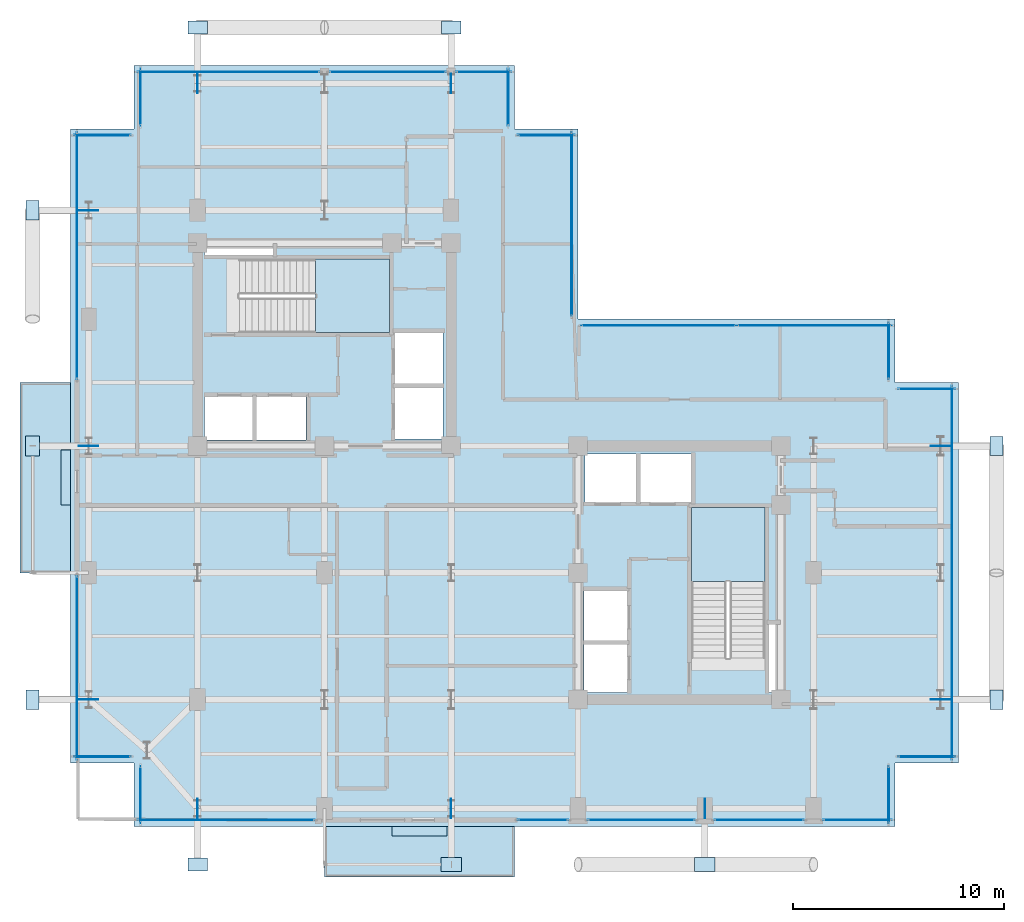
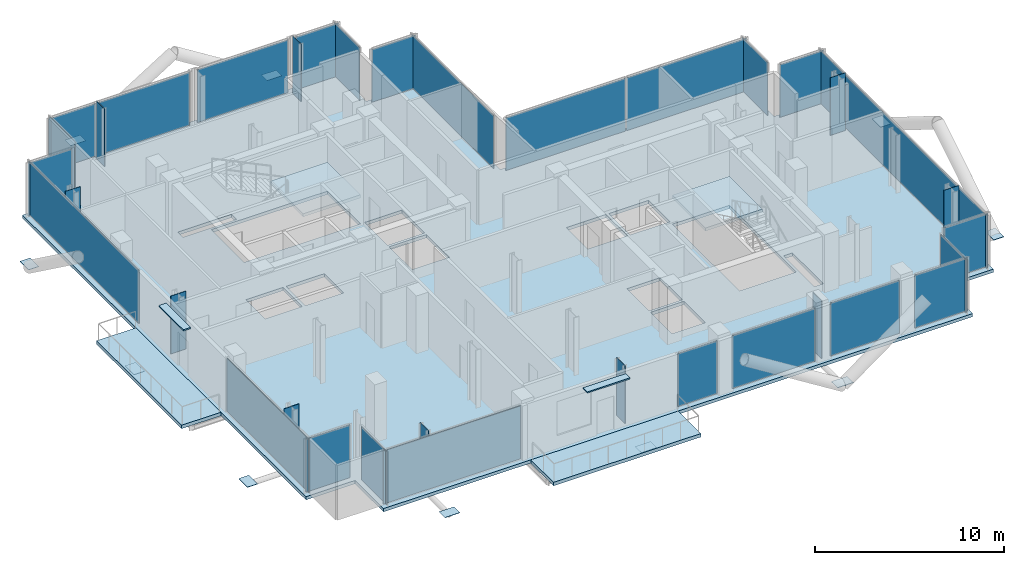
# One storey, part 15 of 21: 46 plates, 5 slabs, 25 elements without a shape of their own.
"""IFC4 building model written with IfcOpenShell, lengths in metres."""

from ifc_helpers import new_model, si_unit, direction, frame, origin, origin_2d, place, context, subcontext, project, spatial, polyline, rectangle, outline, extrude, material, layer, layer_set, type_object, element, aggregate, save


model = new_model("IFC4")

# Units and contexts
model_context = context("Model", 3, precision=1e-05, world=origin(), true_north=direction((0.0, 1.0)))
body_context = subcontext(model_context, "Body", "Model", "MODEL_VIEW")
ifc_project = project(units=[si_unit("LENGTHUNIT", "METRE"), si_unit("AREAUNIT", "SQUARE_METRE"), si_unit("VOLUMEUNIT", "CUBIC_METRE"), si_unit("PLANEANGLEUNIT", "RADIAN"), si_unit("MASSUNIT", "GRAM", prefix="KILO"), si_unit("THERMODYNAMICTEMPERATUREUNIT", "KELVIN"), si_unit("POWERUNIT", "WATT")], contexts=[model_context])

# Site, building, storey
site_placement = place(None, origin())
site = spatial("IfcSite", under=ifc_project, at=site_placement, CompositionType="ELEMENT")
building_placement = place(site_placement, origin())
building = spatial("IfcBuilding", under=site, at=building_placement, Name="Svarakhadi Broadcast Tower", CompositionType="ELEMENT")
storey_placement = place(building_placement, frame((0.0, 0.0, 219.89990234375)))
storey = spatial("IfcBuildingStorey", under=building, at=storey_placement, Name="L54", CompositionType="ELEMENT", Elevation=219.89990234375)

# Curtain wall, plate
ifc_material_1 = material(Name="Anodised Bronze Aluminium AA 6063-T6", Category="aluminium")
ifc_layer_1 = layer(ifc_material_1, 0.18994140625)
ifc_layer_set_1 = layer_set([ifc_layer_1], Name="Anodised Bronze Aluminium AA 6063-T6")
curtain_wall_type = type_object("IfcCurtainWallType", Name="CW_Sys_04", PredefinedType="NOTDEFINED", material=ifc_layer_set_1)
curtain_wall_1_placement = place(storey_placement, origin())
curtain_wall_1 = element("IfcCurtainWall", 1, at=curtain_wall_1_placement, inside=storey, type_object=curtain_wall_type, Name="L54 Unitised Facade Curtain Wall 01", PredefinedType="NOTDEFINED")
ifc_material_2 = material(Name="Double Low-E Laminated Acoustic Glass IGU 36 mm", Category="glass")
ifc_layer_2 = layer(ifc_material_2, 0.033935546875)
ifc_layer_set_2 = layer_set([ifc_layer_2], Name="Double Low-E Laminated Acoustic Glass IGU 36 mm")
plate_type_1 = type_object("IfcPlateType", Name="CW_Sys_04_Pnl", PredefinedType="CURTAIN_PANEL", material=ifc_layer_set_2)
plate_1_placement = place(storey_placement, frame((1.5, 3.300048828125, 0.06494140625), z_axis=(0.0, 0.0, 1.0), x_axis=(-1.0, 0.0, 0.0)))
plate_1 = element("IfcPlate", 2, at=plate_1_placement, type_object=plate_type_1, Name="CW-04 panel 1.1", PredefinedType="CURTAIN_PANEL", context=body_context, shape_type="SweptSolid", body=[
    extrude(rectangle(XDim=2.679931640625, YDim=0.033935546875, at=origin_2d()), origin(), (0.0, 0.0, 1.0), 3.409912109375),
])
aggregate(curtain_wall_1, [plate_1])

curtain_wall_2_placement = place(storey_placement, origin())
curtain_wall_2 = element("IfcCurtainWall", 3, at=curtain_wall_2_placement, inside=storey, type_object=curtain_wall_type, Name="L54 West Curtain Wall 02", PredefinedType="NOTDEFINED")
plate_2_placement = place(storey_placement, frame((0.300048828125, 7.5, 0.06494140625), z_axis=(0.0, 0.0, 1.0), x_axis=(0.0, 1.0, 0.0)))
plate_2 = element("IfcPlate", 4, at=plate_2_placement, type_object=plate_type_1, Name="CW-04 panel 1.1", PredefinedType="CURTAIN_PANEL", context=body_context, shape_type="SweptSolid", body=[
    extrude(rectangle(XDim=8.679931640625, YDim=0.033935546875, at=origin_2d()), origin(), (0.0, 0.0, 1.0), 3.409912109375),
])
aggregate(curtain_wall_2, [plate_2])

curtain_wall_3_placement = place(storey_placement, origin())
curtain_wall_3 = element("IfcCurtainWall", 5, at=curtain_wall_3_placement, inside=storey, type_object=curtain_wall_type, Name="L54 West Curtain Wall 03", PredefinedType="NOTDEFINED")
plate_3_placement = place(storey_placement, frame((0.300048828125, 27.0, 0.06494140625), z_axis=(0.0, 0.0, 1.0), x_axis=(0.0, 1.0, 0.0)))
plate_3 = element("IfcPlate", 6, at=plate_3_placement, type_object=plate_type_1, Name="CW-04 panel 1.1", PredefinedType="CURTAIN_PANEL", context=body_context, shape_type="SweptSolid", body=[
    extrude(rectangle(XDim=11.679931640625, YDim=0.033935546875, at=origin_2d()), origin(), (0.0, 0.0, 1.0), 3.409912109375),
])
aggregate(curtain_wall_3, [plate_3])

curtain_wall_4_placement = place(storey_placement, origin())
curtain_wall_4 = element("IfcCurtainWall", 7, at=curtain_wall_4_placement, inside=storey, type_object=curtain_wall_type, Name="L54 Unitised Facade Curtain Wall 04", PredefinedType="NOTDEFINED")
plate_4_placement = place(storey_placement, frame((1.5, 32.699951171875, 0.06494140625), z_axis=(0.0, 0.0, 1.0), x_axis=(1.0, 0.0, 0.0)))
plate_4 = element("IfcPlate", 8, at=plate_4_placement, type_object=plate_type_1, Name="CW-04 panel 1.1", PredefinedType="CURTAIN_PANEL", context=body_context, shape_type="SweptSolid", body=[
    extrude(rectangle(XDim=2.679931640625, YDim=0.033935546875, at=origin_2d()), origin(), (0.0, 0.0, 1.0), 3.409912109375),
])
aggregate(curtain_wall_4, [plate_4])

curtain_wall_5_placement = place(storey_placement, origin())
curtain_wall_5 = element("IfcCurtainWall", 9, at=curtain_wall_5_placement, inside=storey, type_object=curtain_wall_type, Name="L54 Unitised Facade Curtain Wall 05", PredefinedType="NOTDEFINED")
plate_5_placement = place(storey_placement, frame((3.300048828125, 34.5, 0.06494140625), z_axis=(0.0, 0.0, 1.0), x_axis=(0.0, 1.0, 0.0)))
plate_5 = element("IfcPlate", 10, at=plate_5_placement, type_object=plate_type_1, Name="CW-04 panel 1.1", PredefinedType="CURTAIN_PANEL", context=body_context, shape_type="SweptSolid", body=[
    extrude(rectangle(XDim=2.679931640625, YDim=0.033935546875, at=origin_2d()), origin(), (0.0, 0.0, 1.0), 3.409912109375),
])
aggregate(curtain_wall_5, [plate_5])

curtain_wall_6_placement = place(storey_placement, origin())
curtain_wall_6 = element("IfcCurtainWall", 11, at=curtain_wall_6_placement, inside=storey, type_object=curtain_wall_type, Name="L54 Unitised Facade Curtain Wall 06 Bay 1", PredefinedType="NOTDEFINED")
plate_6_placement = place(storey_placement, frame((7.4599609375, 35.699951171875, 0.06494140625), z_axis=(0.0, 0.0, 1.0), x_axis=(1.0, 0.0, 0.0)))
plate_6 = element("IfcPlate", 12, at=plate_6_placement, type_object=plate_type_1, Name="CW-04 panel 1.1", PredefinedType="CURTAIN_PANEL", context=body_context, shape_type="SweptSolid", body=[
    extrude(rectangle(XDim=8.60009765625, YDim=0.033935546875, at=origin_2d()), origin(), (0.0, 0.0, 1.0), 3.409912109375),
])
aggregate(curtain_wall_6, [plate_6])

curtain_wall_7_placement = place(storey_placement, origin())
curtain_wall_7 = element("IfcCurtainWall", 13, at=curtain_wall_7_placement, inside=storey, type_object=curtain_wall_type, Name="L54 Unitised Facade Curtain Wall 06 Bay 2", PredefinedType="NOTDEFINED")
plate_7_placement = place(storey_placement, frame((15.0, 35.699951171875, 0.06494140625), z_axis=(0.0, 0.0, 1.0), x_axis=(1.0, 0.0, 0.0)))
plate_7 = element("IfcPlate", 14, at=plate_7_placement, type_object=plate_type_1, Name="CW-04 panel 1.1", PredefinedType="CURTAIN_PANEL", context=body_context, shape_type="SweptSolid", body=[
    extrude(rectangle(XDim=5.52001953125, YDim=0.033935546875, at=origin_2d()), origin(), (0.0, 0.0, 1.0), 3.409912109375),
])
aggregate(curtain_wall_7, [plate_7])

curtain_wall_8_placement = place(storey_placement, origin())
curtain_wall_8 = element("IfcCurtainWall", 15, at=curtain_wall_8_placement, inside=storey, type_object=curtain_wall_type, Name="L54 Unitised Facade Curtain Wall 06 Bay 3", PredefinedType="NOTDEFINED")
plate_8_placement = place(storey_placement, frame((19.5400390625, 35.699951171875, 0.06494140625), z_axis=(0.0, 0.0, 1.0), x_axis=(1.0, 0.0, 0.0)))
plate_8 = element("IfcPlate", 16, at=plate_8_placement, type_object=plate_type_1, Name="CW-04 panel 1.1", PredefinedType="CURTAIN_PANEL", context=body_context, shape_type="SweptSolid", body=[
    extrude(rectangle(XDim=2.60009765625, YDim=0.033935546875, at=origin_2d()), origin(), (0.0, 0.0, 1.0), 3.409912109375),
])
aggregate(curtain_wall_8, [plate_8])

curtain_wall_9_placement = place(storey_placement, origin())
curtain_wall_9 = element("IfcCurtainWall", 17, at=curtain_wall_9_placement, inside=storey, type_object=curtain_wall_type, Name="L54 Unitised Facade Curtain Wall 07", PredefinedType="NOTDEFINED")
plate_9_placement = place(storey_placement, frame((20.699951171875, 34.5, 0.06494140625), z_axis=(0.0, 0.0, 1.0), x_axis=(0.0, -1.0, 0.0)))
plate_9 = element("IfcPlate", 18, at=plate_9_placement, type_object=plate_type_1, Name="CW-04 panel 1.1", PredefinedType="CURTAIN_PANEL", context=body_context, shape_type="SweptSolid", body=[
    extrude(rectangle(XDim=2.679931640625, YDim=0.033935546875, at=origin_2d()), origin(), (0.0, 0.0, 1.0), 3.409912109375),
])
aggregate(curtain_wall_9, [plate_9])

curtain_wall_10_placement = place(storey_placement, origin())
curtain_wall_10 = element("IfcCurtainWall", 19, at=curtain_wall_10_placement, inside=storey, type_object=curtain_wall_type, Name="L54 Unitised Facade Curtain Wall 08", PredefinedType="NOTDEFINED")
plate_10_placement = place(storey_placement, frame((22.5, 32.699951171875, 0.06494140625), z_axis=(0.0, 0.0, 1.0), x_axis=(1.0, 0.0, 0.0)))
plate_10 = element("IfcPlate", 20, at=plate_10_placement, type_object=plate_type_1, Name="CW-04 panel 1.1", PredefinedType="CURTAIN_PANEL", context=body_context, shape_type="SweptSolid", body=[
    extrude(rectangle(XDim=2.679931640625, YDim=0.033935546875, at=origin_2d()), origin(), (0.0, 0.0, 1.0), 3.409912109375),
])
aggregate(curtain_wall_10, [plate_10])

curtain_wall_11_placement = place(storey_placement, origin())
curtain_wall_11 = element("IfcCurtainWall", 21, at=curtain_wall_11_placement, inside=storey, type_object=curtain_wall_type, Name="L54 Unitised Facade Curtain Wall 09", PredefinedType="NOTDEFINED")
plate_11_placement = place(storey_placement, frame((23.699951171875, 28.5, 0.06494140625), z_axis=(0.0, 0.0, 1.0), x_axis=(0.0, -1.0, 0.0)))
plate_11 = element("IfcPlate", 22, at=plate_11_placement, type_object=plate_type_1, Name="CW-04 panel 1.1", PredefinedType="CURTAIN_PANEL", context=body_context, shape_type="SweptSolid", body=[
    extrude(rectangle(XDim=8.679931640625, YDim=0.033935546875, at=origin_2d()), origin(), (0.0, 0.0, 1.0), 3.409912109375),
])
aggregate(curtain_wall_11, [plate_11])

# Curtain wall, plates
curtain_wall_12_placement = place(storey_placement, origin())
curtain_wall_12 = element("IfcCurtainWall", 23, at=curtain_wall_12_placement, inside=storey, type_object=curtain_wall_type, Name="L54 Unitised Facade Curtain Wall 10", PredefinedType="NOTDEFINED")
plate_12_placement = place(storey_placement, frame((27.8125, 23.699951171875, 0.06494140625), z_axis=(0.0, 0.0, 1.0), x_axis=(1.0, 0.0, 0.0)))
plate_12 = element("IfcPlate", 24, at=plate_12_placement, type_object=plate_type_1, Name="CW-04 panel 1.1", PredefinedType="CURTAIN_PANEL", context=body_context, shape_type="SweptSolid", body=[
    extrude(rectangle(XDim=7.304931640625, YDim=0.033935546875, at=origin_2d()), origin(), (0.0, 0.0, 1.0), 3.409912109375),
])
plate_13_placement = place(storey_placement, frame((35.1875, 23.699951171875, 0.06494140625), z_axis=(0.0, 0.0, 1.0), x_axis=(1.0, 0.0, 0.0)))
plate_13 = element("IfcPlate", 25, at=plate_13_placement, type_object=plate_type_1, Name="CW-04 panel 2.1", PredefinedType="CURTAIN_PANEL", context=body_context, shape_type="SweptSolid", body=[
    extrude(rectangle(XDim=7.304931640625, YDim=0.033935546875, at=origin_2d()), origin(), (0.0, 0.0, 1.0), 3.409912109375),
])
aggregate(curtain_wall_12, [plate_12, plate_13])

# Curtain wall, plate
curtain_wall_13_placement = place(storey_placement, origin())
curtain_wall_13 = element("IfcCurtainWall", 26, at=curtain_wall_13_placement, inside=storey, type_object=curtain_wall_type, Name="L54 Unitised Facade Curtain Wall 11", PredefinedType="NOTDEFINED")
plate_14_placement = place(storey_placement, frame((38.699951171875, 22.5, 0.06494140625), z_axis=(0.0, 0.0, 1.0), x_axis=(0.0, -1.0, 0.0)))
plate_14 = element("IfcPlate", 27, at=plate_14_placement, type_object=plate_type_1, Name="CW-04 panel 1.1", PredefinedType="CURTAIN_PANEL", context=body_context, shape_type="SweptSolid", body=[
    extrude(rectangle(XDim=2.679931640625, YDim=0.033935546875, at=origin_2d()), origin(), (0.0, 0.0, 1.0), 3.409912109375),
])
aggregate(curtain_wall_13, [plate_14])

curtain_wall_14_placement = place(storey_placement, origin())
curtain_wall_14 = element("IfcCurtainWall", 28, at=curtain_wall_14_placement, inside=storey, type_object=curtain_wall_type, Name="L54 Unitised Facade Curtain Wall 12", PredefinedType="NOTDEFINED")
plate_15_placement = place(storey_placement, frame((40.5, 20.699951171875, 0.06494140625), z_axis=(0.0, 0.0, 1.0), x_axis=(1.0, 0.0, 0.0)))
plate_15 = element("IfcPlate", 29, at=plate_15_placement, type_object=plate_type_1, Name="CW-04 panel 1.1", PredefinedType="CURTAIN_PANEL", context=body_context, shape_type="SweptSolid", body=[
    extrude(rectangle(XDim=2.679931640625, YDim=0.033935546875, at=origin_2d()), origin(), (0.0, 0.0, 1.0), 3.409912109375),
])
aggregate(curtain_wall_14, [plate_15])

curtain_wall_15_placement = place(storey_placement, origin())
curtain_wall_15 = element("IfcCurtainWall", 30, at=curtain_wall_15_placement, inside=storey, type_object=curtain_wall_type, Name="L54 Unitised Facade Curtain Wall 13", PredefinedType="NOTDEFINED")
plate_16_placement = place(storey_placement, frame((41.699951171875, 12.0, 0.06494140625), z_axis=(0.0, 0.0, 1.0), x_axis=(0.0, -1.0, 0.0)))
plate_16 = element("IfcPlate", 31, at=plate_16_placement, type_object=plate_type_1, Name="CW-04 panel 1.1", PredefinedType="CURTAIN_PANEL", context=body_context, shape_type="SweptSolid", body=[
    extrude(rectangle(XDim=17.679931640625, YDim=0.033935546875, at=origin_2d()), origin(), (0.0, 0.0, 1.0), 3.409912109375),
])
aggregate(curtain_wall_15, [plate_16])

curtain_wall_16_placement = place(storey_placement, origin())
curtain_wall_16 = element("IfcCurtainWall", 32, at=curtain_wall_16_placement, inside=storey, type_object=curtain_wall_type, Name="L54 Unitised Facade Curtain Wall 14", PredefinedType="NOTDEFINED")
plate_17_placement = place(storey_placement, frame((40.5, 3.300048828125, 0.06494140625), z_axis=(0.0, 0.0, 1.0), x_axis=(-1.0, 0.0, 0.0)))
plate_17 = element("IfcPlate", 33, at=plate_17_placement, type_object=plate_type_1, Name="CW-04 panel 1.1", PredefinedType="CURTAIN_PANEL", context=body_context, shape_type="SweptSolid", body=[
    extrude(rectangle(XDim=2.679931640625, YDim=0.033935546875, at=origin_2d()), origin(), (0.0, 0.0, 1.0), 3.409912109375),
])
aggregate(curtain_wall_16, [plate_17])

curtain_wall_17_placement = place(storey_placement, origin())
curtain_wall_17 = element("IfcCurtainWall", 34, at=curtain_wall_17_placement, inside=storey, type_object=curtain_wall_type, Name="L54 Unitised Facade Curtain Wall 15", PredefinedType="NOTDEFINED")
plate_18_placement = place(storey_placement, frame((38.699951171875, 1.5, 0.06494140625), z_axis=(0.0, 0.0, 1.0), x_axis=(0.0, -1.0, 0.0)))
plate_18 = element("IfcPlate", 35, at=plate_18_placement, type_object=plate_type_1, Name="CW-04 panel 1.1", PredefinedType="CURTAIN_PANEL", context=body_context, shape_type="SweptSolid", body=[
    extrude(rectangle(XDim=2.679931640625, YDim=0.033935546875, at=origin_2d()), origin(), (0.0, 0.0, 1.0), 3.409912109375),
])
aggregate(curtain_wall_17, [plate_18])

curtain_wall_18_placement = place(storey_placement, origin())
curtain_wall_18 = element("IfcCurtainWall", 36, at=curtain_wall_18_placement, inside=storey, type_object=curtain_wall_type, Name="L54 South Curtain Wall 16 Bay 1", PredefinedType="NOTDEFINED")
plate_19_placement = place(storey_placement, frame((37.2275390625, 0.300048828125, 0.06494140625), z_axis=(0.0, 0.0, 1.0), x_axis=(-1.0, 0.0, 0.0)))
plate_19 = element("IfcPlate", 37, at=plate_19_placement, type_object=plate_type_1, Name="CW-04 panel 1.1", PredefinedType="CURTAIN_PANEL", context=body_context, shape_type="SweptSolid", body=[
    extrude(rectangle(XDim=3.22509765625, YDim=0.033935546875, at=origin_2d()), origin(), (0.0, 0.0, 1.0), 3.409912109375),
])
aggregate(curtain_wall_18, [plate_19])

curtain_wall_19_placement = place(storey_placement, origin())
curtain_wall_19 = element("IfcCurtainWall", 38, at=curtain_wall_19_placement, inside=storey, type_object=curtain_wall_type, Name="L54 South Curtain Wall 16 Bay 2", PredefinedType="NOTDEFINED")
plate_20_placement = place(storey_placement, frame((32.574951171875, 0.300048828125, 0.06494140625), z_axis=(0.0, 0.0, 1.0), x_axis=(-1.0, 0.0, 0.0)))
plate_20 = element("IfcPlate", 39, at=plate_20_placement, type_object=plate_type_1, Name="CW-04 panel 1.1", PredefinedType="CURTAIN_PANEL", context=body_context, shape_type="SweptSolid", body=[
    extrude(rectangle(XDim=4.219970703125, YDim=0.033935546875, at=origin_2d()), origin(), (0.0, 0.0, 1.0), 3.409912109375),
])
aggregate(curtain_wall_19, [plate_20])

curtain_wall_20_placement = place(storey_placement, origin())
curtain_wall_20 = element("IfcCurtainWall", 40, at=curtain_wall_20_placement, inside=storey, type_object=curtain_wall_type, Name="L54 South Curtain Wall 16 Bay 3", PredefinedType="NOTDEFINED")
plate_21_placement = place(storey_placement, frame((27.0, 0.300048828125, 0.06494140625), z_axis=(0.0, 0.0, 1.0), x_axis=(-1.0, 0.0, 0.0)))
plate_21 = element("IfcPlate", 41, at=plate_21_placement, type_object=plate_type_1, Name="CW-04 panel 1.1", PredefinedType="CURTAIN_PANEL", context=body_context, shape_type="SweptSolid", body=[
    extrude(rectangle(XDim=5.070068359375, YDim=0.033935546875, at=origin_2d()), origin(), (0.0, 0.0, 1.0), 3.409912109375),
])
aggregate(curtain_wall_20, [plate_21])

curtain_wall_21_placement = place(storey_placement, origin())
curtain_wall_21 = element("IfcCurtainWall", 42, at=curtain_wall_21_placement, inside=storey, type_object=curtain_wall_type, Name="L54 South Curtain Wall 16 Bay 4", PredefinedType="NOTDEFINED")
plate_22_placement = place(storey_placement, frame((22.347412109375, 0.300048828125, 0.06494140625), z_axis=(0.0, 0.0, 1.0), x_axis=(-1.0, 0.0, 0.0)))
plate_22 = element("IfcPlate", 43, at=plate_22_placement, type_object=plate_type_1, Name="CW-04 panel 1.1", PredefinedType="CURTAIN_PANEL", context=body_context, shape_type="SweptSolid", body=[
    extrude(rectangle(XDim=2.375, YDim=0.033935546875, at=origin_2d()), origin(), (0.0, 0.0, 1.0), 3.409912109375),
])
aggregate(curtain_wall_21, [plate_22])

curtain_wall_22_placement = place(storey_placement, origin())
curtain_wall_22 = element("IfcCurtainWall", 44, at=curtain_wall_22_placement, inside=storey, type_object=curtain_wall_type, Name="L54 South Curtain Wall 17", PredefinedType="NOTDEFINED")
plate_23_placement = place(storey_placement, frame((7.347412109375, 0.300048828125, 0.06494140625), z_axis=(0.0, 0.0, 1.0), x_axis=(-1.0, 0.0, 0.0)))
plate_23 = element("IfcPlate", 45, at=plate_23_placement, type_object=plate_type_1, Name="CW-04 panel 1.1", PredefinedType="CURTAIN_PANEL", context=body_context, shape_type="SweptSolid", body=[
    extrude(rectangle(XDim=8.375, YDim=0.033935546875, at=origin_2d()), origin(), (0.0, 0.0, 1.0), 3.409912109375),
])
aggregate(curtain_wall_22, [plate_23])

curtain_wall_23_placement = place(storey_placement, origin())
curtain_wall_23 = element("IfcCurtainWall", 46, at=curtain_wall_23_placement, inside=storey, type_object=curtain_wall_type, Name="L54 Unitised Facade Curtain Wall 18", PredefinedType="NOTDEFINED")
plate_24_placement = place(storey_placement, frame((3.300048828125, 1.5, 0.06494140625), z_axis=(0.0, 0.0, 1.0), x_axis=(0.0, 1.0, 0.0)))
plate_24 = element("IfcPlate", 47, at=plate_24_placement, type_object=plate_type_1, Name="CW-04 panel 1.1", PredefinedType="CURTAIN_PANEL", context=body_context, shape_type="SweptSolid", body=[
    extrude(rectangle(XDim=2.679931640625, YDim=0.033935546875, at=origin_2d()), origin(), (0.0, 0.0, 1.0), 3.409912109375),
])
aggregate(curtain_wall_23, [plate_24])

# Plates
ifc_material_3 = material(Name="Steel S460ML (IS 2062 E450BR)", Category="steel")
ifc_layer_3 = layer(ifc_material_3, 0.028076171875)
ifc_layer_set_3 = layer_set([ifc_layer_3], Name="Steel S460ML (IS 2062 E450BR)")
plate_type_2 = type_object("IfcPlateType", Name="Node_Gusset_N03", PredefinedType="SHEET", material=ifc_layer_set_3)
for number, where, z_axis, x_axis, name in (
    (48, (18.0, -1.800048828125, -0.2099609375), (0.0, 0.0, 1.0), (1.0, 0.0, 0.0), "L54 Exoskeleton Gusset Node Plate S02"),
    (49, (30.0, -1.800048828125, -0.2099609375), (0.0, 0.0, 1.0), (1.0, 0.0, 0.0), "L54 Exoskeleton Gusset Node Plate S03"),
    (50, (-1.800048828125, 18.0, -0.2099609375), (0.0, 0.0, 1.0), (0.0, 1.0, 0.0), "L54 Exoskeleton Gusset Node Plate W05"),
):
    element("IfcPlate", number, at=place(storey_placement, frame(where, z_axis=z_axis, x_axis=x_axis)), inside=storey, type_object=plate_type_2, Name=name, PredefinedType="SHEET", context=body_context, shape_type="SweptSolid", body=[
        extrude(rectangle(XDim=0.9599609375, YDim=0.659912109375, at=origin_2d()), origin(), (0.0, 0.0, 1.0), 0.028076171875),
    ])
ifc_layer_4 = layer(ifc_material_3, 0.02587890625)
ifc_layer_set_4 = layer_set([ifc_layer_4], Name="Steel S460ML (IS 2062 E450BR)")
plate_type_3 = type_object("IfcPlateType", Name="Node_Gusset_N07", PredefinedType="SHEET", material=ifc_layer_set_4)
for number, where, z_axis, x_axis, name in (
    (51, (6.0, -1.800048828125, -0.2099609375), (0.0, 0.0, 1.0), (1.0, 0.0, 0.0), "L54 Exoskeleton Gusset Node Plate S01"),
    (52, (-1.800048828125, 6.0, -0.2099609375), (0.0, 0.0, 1.0), (0.0, 1.0, 0.0), "L54 Exoskeleton Gusset Node Plate W04"),
    (53, (-1.800048828125, 29.14990234375, -0.2099609375), (0.0, 0.0, 1.0), (0.0, 1.0, 0.0), "L54 Exoskeleton Gusset Node Plate W06"),
    (54, (43.800048828125, 6.0, -0.2099609375), (0.0, 0.0, 1.0), (0.0, 1.0, 0.0), "L54 Exoskeleton Gusset Node Plate E07"),
    (55, (43.800048828125, 18.0, -0.2099609375), (0.0, 0.0, 1.0), (0.0, 1.0, 0.0), "L54 Exoskeleton Gusset Node Plate E08"),
    (56, (6.0, 37.800048828125, -0.2099609375), (0.0, 0.0, 1.0), (1.0, 0.0, 0.0), "L54 Exoskeleton Gusset Node Plate N09"),
    (57, (18.0, 37.800048828125, -0.2099609375), (0.0, 0.0, 1.0), (1.0, 0.0, 0.0), "L54 Exoskeleton Gusset Node Plate N10"),
):
    element("IfcPlate", number, at=place(storey_placement, frame(where, z_axis=z_axis, x_axis=x_axis)), inside=storey, type_object=plate_type_3, Name=name, PredefinedType="SHEET", context=body_context, shape_type="SweptSolid", body=[
        extrude(rectangle(XDim=0.919921875, YDim=0.6201171875, at=origin_2d()), origin(), (0.0, 0.0, 1.0), 0.02587890625),
    ])
for number, where, z_axis, x_axis, name in (
    (58, (6.0, 0.85009765625, -0.57177734375), (0.0, 0.0, 1.0), (0.0, 1.0, 0.0), "L54 Brace End Connection Gusset Plate N-07-E0439"),
    (59, (18.0, 0.85009765625, -0.57177734375), (0.0, 0.0, 1.0), (0.0, 1.0, 0.0), "L54 Brace End Connection Gusset Plate N-07-E0440"),
    (60, (30.0, 0.85009765625, -0.57177734375), (0.0, 0.0, 1.0), (0.0, 1.0, 0.0), "L54 Brace End Connection Gusset Plate N-07-E0441"),
    (61, (0.85009765625, 6.0, -0.57177734375), (0.0, 0.0, 1.0), (1.0, 0.0, 0.0), "L54 Brace End Connection Gusset Plate N-07-E0442"),
    (62, (0.85009765625, 18.0, -0.57177734375), (0.0, 0.0, 1.0), (1.0, 0.0, 0.0), "L54 Brace End Connection Gusset Plate N-07-E0443"),
    (63, (0.85009765625, 29.14990234375, -0.57177734375), (0.0, 0.0, 1.0), (1.0, 0.0, 0.0), "L54 Brace End Connection Gusset Plate N-07-E0444"),
    (64, (41.14990234375, 6.0, -0.57177734375), (0.0, 0.0, 1.0), (1.0, 0.0, 0.0), "L54 Brace End Connection Gusset Plate N-07-E0445"),
    (65, (41.14990234375, 18.0, -0.57177734375), (0.0, 0.0, 1.0), (1.0, 0.0, 0.0), "L54 Brace End Connection Gusset Plate N-07-E0446"),
    (66, (6.0, 35.14990234375, -0.57177734375), (0.0, 0.0, 1.0), (0.0, 1.0, 0.0), "L54 Brace End Connection Gusset Plate N-07-E0447"),
    (67, (18.0, 35.14990234375, -0.57177734375), (0.0, 0.0, 1.0), (0.0, 1.0, 0.0), "L54 Brace End Connection Gusset Plate N-07-E0448"),
):
    element("IfcPlate", number, at=place(storey_placement, frame(where, z_axis=z_axis, x_axis=x_axis)), inside=storey, type_object=plate_type_3, Name=name, PredefinedType="SHEET", context=body_context, shape_type="SweptSolid", body=[
        extrude(rectangle(XDim=0.919921875, YDim=0.02587890625, at=origin_2d()), origin(), (0.0, 0.0, 1.0), 4.300048828125),
    ])

# Slab
ifc_material_4 = material(Name="Concrete C40/50 (IS 456 M50)", Category="concrete")
ifc_layer_5 = layer(ifc_material_4, 0.2099609375)
ifc_layer_set_5 = layer_set([ifc_layer_5], Name="Concrete C40/50 (IS 456 M50)")
slab_type_1 = type_object("IfcSlabType", Name="Slab_Floor_210", PredefinedType="FLOOR", material=ifc_layer_set_5)
slab_1_placement = place(storey_placement, frame((0.0, 0.0, -0.2099609375)))
element("IfcSlab", 68, at=slab_1_placement, inside=storey, type_object=slab_type_1, Name="L54 Structural Floor Slab", PredefinedType="FLOOR", context=body_context, shape_type="SweptSolid", body=[
    extrude(outline(polyline([(3.0, 0.0), (39.0, 0.0), (39.0, 3.0), (42.0, 3.0), (42.0, 21.0), (39.0, 21.0), (39.0, 24.0), (24.0, 24.0), (24.0, 33.0), (21.0, 33.0), (21.0, 36.0), (3.0, 36.0), (3.0, 33.0), (0.0, 33.0), (0.0, 3.0), (3.0, 3.0), (3.0, 0.0)]), holes=[polyline([(7.97998046875, 23.360107421875), (15.080078125, 23.360107421875), (15.080078125, 26.840087890625), (7.97998046875, 26.840087890625), (7.97998046875, 23.360107421875)]), polyline([(32.840087890625, 7.97998046875), (32.840087890625, 15.080078125), (29.360107421875, 15.080078125), (29.360107421875, 7.97998046875), (32.840087890625, 7.97998046875)]), polyline([(6.340087890625, 18.2900390625), (8.610107421875, 18.2900390625), (8.610107421875, 20.330078125), (6.340087890625, 20.330078125), (6.340087890625, 18.2900390625)]), polyline([(8.7900390625, 18.2900390625), (11.1298828125, 18.2900390625), (11.1298828125, 20.330078125), (8.7900390625, 20.330078125), (8.7900390625, 18.2900390625)]), polyline([(24.2900390625, 6.340087890625), (26.330078125, 6.340087890625), (26.330078125, 8.610107421875), (24.2900390625, 8.610107421875), (24.2900390625, 6.340087890625)]), polyline([(24.2900390625, 8.7900390625), (26.330078125, 8.7900390625), (26.330078125, 11.1298828125), (24.2900390625, 11.1298828125), (24.2900390625, 8.7900390625)]), polyline([(6.340087890625, 26.989990234375), (9.610107421875, 26.989990234375), (9.610107421875, 27.530029296875), (6.340087890625, 27.530029296875), (6.340087890625, 26.989990234375)]), polyline([(32.989990234375, 6.340087890625), (33.530029296875, 6.340087890625), (33.530029296875, 9.610107421875), (32.989990234375, 9.610107421875), (32.989990234375, 6.340087890625)]), polyline([(15.340087890625, 18.340087890625), (17.610107421875, 18.340087890625), (17.610107421875, 20.760009765625), (15.340087890625, 20.760009765625), (15.340087890625, 18.340087890625)]), polyline([(15.340087890625, 20.93994140625), (17.610107421875, 20.93994140625), (17.610107421875, 23.360107421875), (15.340087890625, 23.360107421875), (15.340087890625, 20.93994140625)]), polyline([(24.340087890625, 15.340087890625), (26.760009765625, 15.340087890625), (26.760009765625, 17.610107421875), (24.340087890625, 17.610107421875), (24.340087890625, 15.340087890625)]), polyline([(26.93994140625, 15.340087890625), (29.360107421875, 15.340087890625), (29.360107421875, 17.610107421875), (26.93994140625, 17.610107421875), (26.93994140625, 15.340087890625)])]), origin(), (0.0, 0.0, 1.0), 0.2099609375),
])

# Stair, slab
stair_type = type_object("IfcStairType", Name="Stair_Exit_Core", PredefinedType="HALF_TURN_STAIR", material=ifc_material_4)
stair_1_placement = place(storey_placement, origin())
stair_1 = element("IfcStair", 69, at=stair_1_placement, inside=storey, type_object=stair_type, Name="L54 West Core Protected Exit Stair ST-01", PredefinedType="HALF_TURN_STAIR")
ifc_layer_6 = layer(ifc_material_4, 0.199951171875)
ifc_layer_set_6 = layer_set([ifc_layer_6], Name="Concrete C40/50 (IS 456 M50)")
slab_type_2 = type_object("IfcSlabType", Name="Slab_Stair_Land", PredefinedType="LANDING", material=ifc_layer_set_6)
slab_2_placement = place(storey_placement, frame((0.0, 0.0, 1.675048828125)))
slab_2 = element("IfcSlab", 70, at=slab_2_placement, type_object=slab_type_2, Name="ST-01 landing 1", PredefinedType="LANDING", context=body_context, shape_type="SweptSolid", body=[
    extrude(outline(polyline([(11.580078125, 23.360107421875), (15.080078125, 23.360107421875), (15.080078125, 26.840087890625), (11.580078125, 26.840087890625), (11.580078125, 23.360107421875)])), origin(), (0.0, 0.0, 1.0), 0.199951171875),
])
aggregate(stair_1, [slab_2])

stair_2_placement = place(storey_placement, origin())
stair_2 = element("IfcStair", 71, at=stair_2_placement, inside=storey, type_object=stair_type, Name="L54 East Core Protected Exit Stair ST-02", PredefinedType="HALF_TURN_STAIR")
slab_3_placement = place(storey_placement, frame((0.0, 0.0, 1.675048828125)))
slab_3 = element("IfcSlab", 72, at=slab_3_placement, type_object=slab_type_2, Name="ST-02 landing 1", PredefinedType="LANDING", context=body_context, shape_type="SweptSolid", body=[
    extrude(outline(polyline([(32.840087890625, 11.580078125), (32.840087890625, 15.080078125), (29.360107421875, 15.080078125), (29.360107421875, 11.580078125), (32.840087890625, 11.580078125)])), origin(), (0.0, 0.0, 1.0), 0.199951171875),
])
aggregate(stair_2, [slab_3])

# Slabs
ifc_layer_7 = layer(ifc_material_4, 0.22509765625)
ifc_layer_set_7 = layer_set([ifc_layer_7], Name="Concrete C40/50 (IS 456 M50)")
slab_type_3 = type_object("IfcSlabType", Name="Slab_TreeBalcony", PredefinedType="FLOOR", material=ifc_layer_set_7)
slab_4_placement = place(storey_placement, frame((0.0, 0.0, -0.224853515625)))
element("IfcSlab", 73, at=slab_4_placement, inside=storey, type_object=slab_type_3, Name="L54 Planted Tree Balcony Slab BAL-S", PredefinedType="FLOOR", context=body_context, shape_type="SweptSolid", body=[
    extrude(outline(polyline([(12.0, -2.39990234375), (21.0, -2.39990234375), (21.0, 0.0), (12.0, 0.0), (12.0, -2.39990234375)])), origin(), (0.0, 0.0, 1.0), 0.224853515625),
])
slab_5_placement = place(storey_placement, frame((0.0, 0.0, -0.224853515625)))
element("IfcSlab", 74, at=slab_5_placement, inside=storey, type_object=slab_type_3, Name="L54 Planted Tree Balcony Slab BAL-W", PredefinedType="FLOOR", context=body_context, shape_type="SweptSolid", body=[
    extrude(outline(polyline([(-2.39990234375, 12.0), (0.0, 12.0), (0.0, 21.0), (-2.39990234375, 21.0), (-2.39990234375, 12.0)])), origin(), (0.0, 0.0, 1.0), 0.224853515625),
])

# Plates
ifc_layer_8 = layer(ifc_material_1, 0.080078125)
ifc_layer_set_8 = layer_set([ifc_layer_8], Name="Anodised Bronze Aluminium AA 6063-T6")
plate_type_4 = type_object("IfcPlateType", Name="Sunshade_Fin_SS01", PredefinedType="USERDEFINED", material=ifc_layer_set_8)
for number, where, z_axis, x_axis, name in (
    (75, (16.5, -0.22509765625, 3.4599609375), (0.0, 0.0, 1.0), (1.0, 0.0, 0.0), "L54 South Bronze Brise-Soleil Sunshade SS-01"),
    (76, (-0.22509765625, 16.5, 3.4599609375), (0.0, 0.0, 1.0), (0.0, 1.0, 0.0), "L54 West Bronze Brise-Soleil Sunshade SS-01"),
):
    element("IfcPlate", number, at=place(storey_placement, frame(where, z_axis=z_axis, x_axis=x_axis)), inside=storey, type_object=plate_type_4, Name=name, ObjectType="SUNSHADE", PredefinedType="USERDEFINED", context=body_context, shape_type="SweptSolid", body=[
        extrude(rectangle(XDim=2.60009765625, YDim=0.449951171875, at=origin_2d()), origin(), (0.0, 0.0, 1.0), 0.080078125),
    ])

save(model, "model.ifc")
